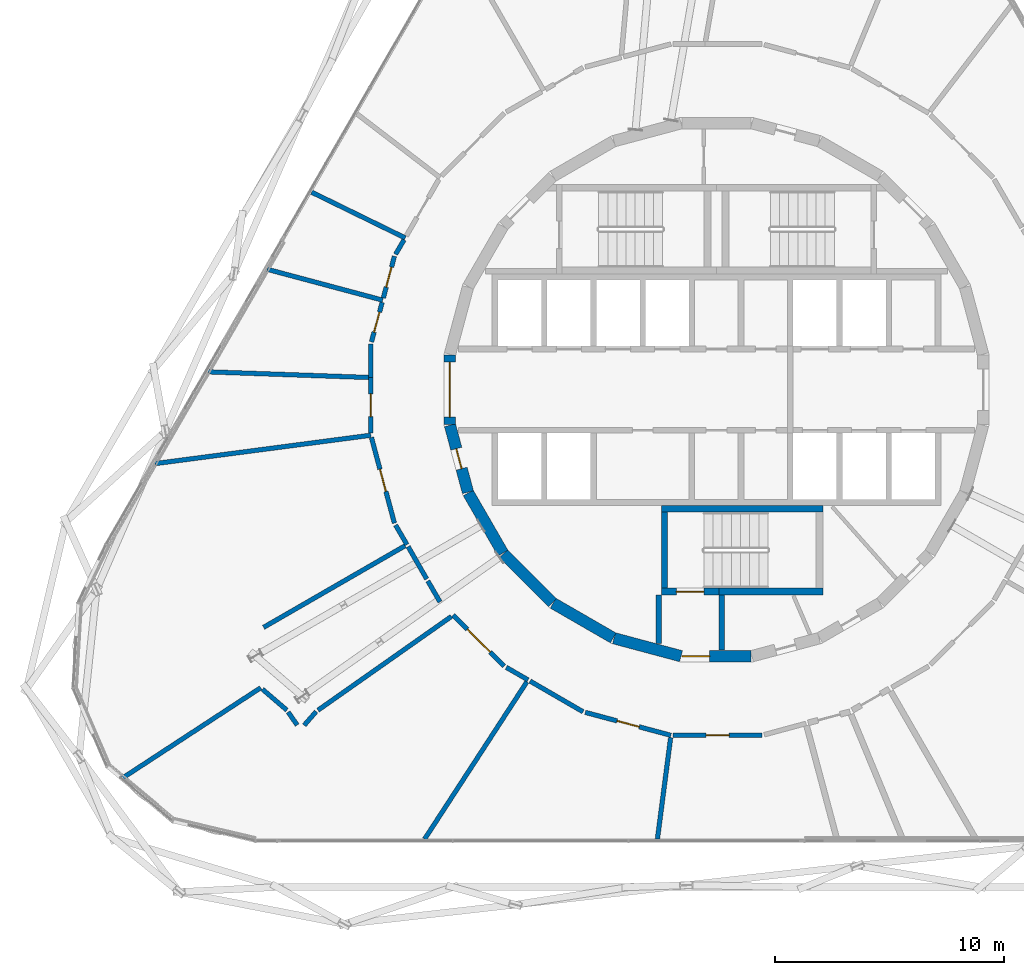
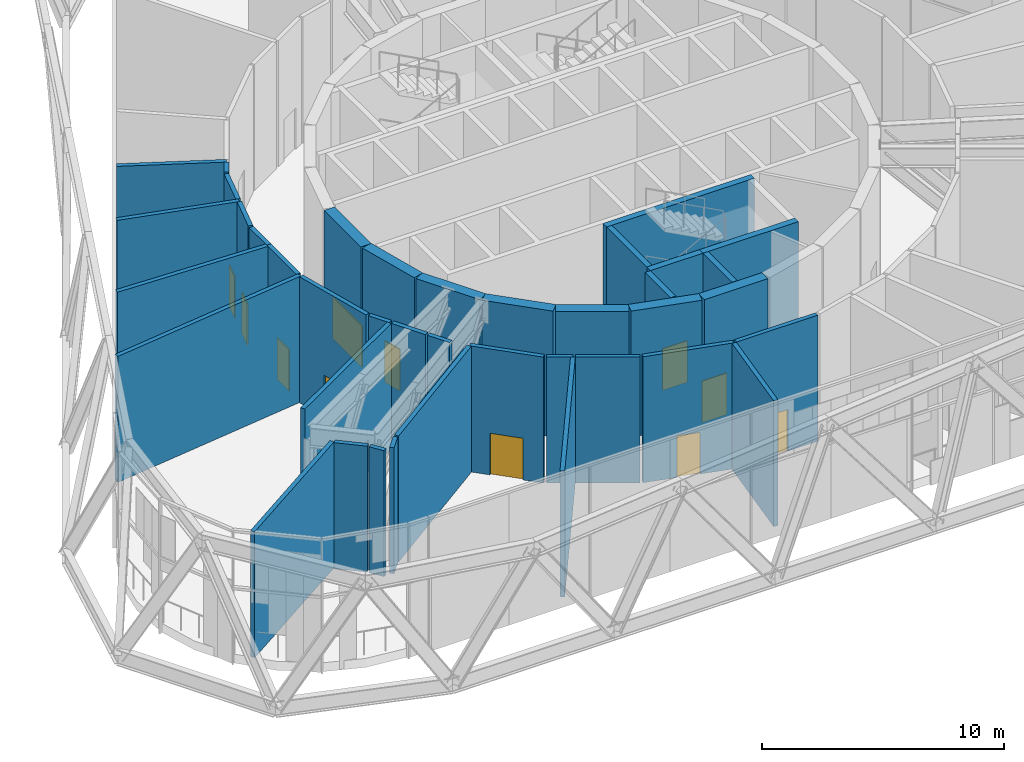
# One storey, part 23 of 29: 39 walls, 11 doors, 11 openings.
"""IFC4 building model written with IfcOpenShell, lengths in metres."""

from ifc_helpers import new_model, si_unit, direction, frame, frame_2d, origin, place, context, subcontext, project, spatial, rectangle, extrude, material, layer, layer_set, type_object, element, fill, save


model = new_model("IFC4")

# Units and contexts
model_context = context("Model", 3, precision=1e-05, world=origin(), true_north=direction((0.0, 1.0)))
body_context = subcontext(model_context, "Body", "Model", "MODEL_VIEW")
ifc_project = project(units=[si_unit("LENGTHUNIT", "METRE"), si_unit("AREAUNIT", "SQUARE_METRE"), si_unit("VOLUMEUNIT", "CUBIC_METRE"), si_unit("PLANEANGLEUNIT", "RADIAN"), si_unit("MASSUNIT", "GRAM", prefix="KILO")], contexts=[model_context])

# Site, building, storey
site_placement = place(None, origin())
site = spatial("IfcSite", under=ifc_project, at=site_placement, CompositionType="ELEMENT")
building_placement = place(site_placement, origin())
building = spatial("IfcBuilding", under=site, at=building_placement, Name="Spindle Arch Residences", CompositionType="ELEMENT")
storey_placement = place(building_placement, frame((0.0, 0.0, 69.89990234375)))
storey = spatial("IfcBuildingStorey", under=building, at=storey_placement, Name="L16", CompositionType="ELEMENT", Elevation=69.89990234375)

# Wall, opening, door
ifc_material_1 = material(Name="Concrete C50/60", Category="concrete")
ifc_layer_1 = layer(ifc_material_1, 0.5)
ifc_layer_set_1 = layer_set([ifc_layer_1], Name="Core outline wall 500")
wall_type_1 = type_object("IfcWallType", Name="Core outline wall 500", PredefinedType="SHEAR", material=ifc_layer_set_1)
wall_1_placement = place(storey_placement, frame((-11.647216796875, 1.516357421875, 0.0), z_axis=(0.0, 0.0, 1.0), x_axis=(0.0, -1.0, 0.0)))
wall_1 = element("IfcWall", 1, at=wall_1_placement, inside=storey, type_object=wall_type_1, Name="Core outline wall 18", PredefinedType="SHEAR", context=body_context, shape_type="SweptSolid", body=[
    extrude(rectangle(XDim=3.03271484375, YDim=0.5, at=frame_2d((1.516357421875, 0.0))), origin(), (0.0, 0.0, 1.0), 6.35009765625),
])
opening_1_placement = place(wall_1_placement, frame((0.31640625, 0.0, 0.0)))
opening_1 = element("IfcOpeningElement", 2, at=opening_1_placement, cuts=wall_1, Name="Opening L16-LE01", PredefinedType="OPENING", context=body_context, shape_type="SweptSolid", body=[
    extrude(rectangle(XDim=2.39990234375, YDim=2.10009765625, at=frame_2d((1.199951171875, 1.050048828125))), frame((0.0, 0.260009765625, 0.0), z_axis=(0.0, -1.0, 0.0), x_axis=(1.0, 0.0, 0.0)), (0.0, 0.0, 1.0), 0.52001953125),
])
ifc_material_2 = material(Name="Steel, fire-resisting door", Category="steel")
door_type_1 = type_object("IfcDoorType", Name="Lift lobby entrance door 2400x2100", OperationType="DOUBLE_DOOR_SINGLE_SWING", PredefinedType="DOOR", material=ifc_material_2)
door_1_placement = place(opening_1_placement, origin())
door_1 = element("IfcDoor", 3, at=door_1_placement, inside=storey, type_object=door_type_1, Name="Lift lobby entrance door L16-LE01", OperationType="DOUBLE_DOOR_SINGLE_SWING", OverallHeight=2.10009765625, OverallWidth=2.39990234375, PredefinedType="DOOR", context=body_context, shape_type="SweptSolid", body=[
    extrude(rectangle(XDim=2.39990234375, YDim=2.10009765625, at=frame_2d((1.199951171875, 1.050048828125))), frame((0.0, 0.02490234375, 0.0), z_axis=(0.0, -1.0, 0.0), x_axis=(1.0, 0.0, 0.0)), (0.0, 0.0, 1.0), 0.050048828125),
])
fill(opening_1, door_1)

wall_2_placement = place(storey_placement, frame((-11.642822265625, -1.5498046875, 0.0), z_axis=(0.0, 0.0, 1.0), x_axis=(0.258734743916, -0.965948410781, 0.0)))
wall_2 = element("IfcWall", 4, at=wall_2_placement, inside=storey, type_object=wall_type_1, Name="Core outline wall 19", PredefinedType="SHEAR", context=body_context, shape_type="SweptSolid", body=[
    extrude(rectangle(XDim=3.03271484375, YDim=0.5, at=frame_2d((1.516357421875, 0.0))), origin(), (0.0, 0.0, 1.0), 6.35009765625),
])
opening_2_placement = place(wall_2_placement, frame((1.06640625, 0.0, 0.0)))
opening_2 = element("IfcOpeningElement", 5, at=opening_2_placement, cuts=wall_2, Name="Opening L16-WD11", PredefinedType="OPENING", context=body_context, shape_type="SweptSolid", body=[
    extrude(rectangle(XDim=0.89990234375, YDim=2.10009765625, at=frame_2d((0.449951171875, 1.050048828125))), frame((0.0, 0.260009765625, 0.0), z_axis=(0.0, -1.0, 0.0), x_axis=(1.0, 0.0, 0.0)), (0.0, 0.0, 1.0), 0.52001953125),
])
ifc_material_3 = material(Name="Steel, fire-resisting door", Category="steel")
door_type_2 = type_object("IfcDoorType", Name="Service room door 900x2100", OperationType="SINGLE_SWING_LEFT", PredefinedType="DOOR", material=ifc_material_3)
door_2_placement = place(opening_2_placement, origin())
door_2 = element("IfcDoor", 6, at=door_2_placement, inside=storey, type_object=door_type_2, Name="Service room door L16-WD11", OperationType="SINGLE_SWING_RIGHT", OverallHeight=2.10009765625, OverallWidth=0.89990234375, PredefinedType="DOOR", context=body_context, shape_type="SweptSolid", body=[
    extrude(rectangle(XDim=0.89990234375, YDim=2.10009765625, at=frame_2d((0.449951171875, 1.050048828125))), frame((0.0, 0.02490234375, 0.0), z_axis=(0.0, -1.0, 0.0), x_axis=(1.0, 0.0, 0.0)), (0.0, 0.0, 1.0), 0.050048828125),
])
fill(opening_2, door_2)

# Walls
wall_3_placement = place(storey_placement, frame((-10.84521484375, -4.510498046875, 0.0), z_axis=(0.0, 0.0, 1.0), x_axis=(0.500087131594, -0.865975092491, 0.0)))
element("IfcWall", 7, at=wall_3_placement, inside=storey, type_object=wall_type_1, Name="Core outline wall 20", PredefinedType="SHEAR", context=body_context, shape_type="SweptSolid", body=[
    extrude(rectangle(XDim=3.03271484375, YDim=0.5, at=frame_2d((1.516357421875, 0.0))), origin(), (0.0, 0.0, 1.0), 6.35009765625),
])
wall_4_placement = place(storey_placement, frame((-9.30810546875, -7.163818359375, 0.0), z_axis=(0.0, 0.0, 1.0), x_axis=(0.707106781187, -0.707106781187, 0.0)))
element("IfcWall", 8, at=wall_4_placement, inside=storey, type_object=wall_type_1, Name="Core outline wall 21", PredefinedType="SHEAR", context=body_context, shape_type="SweptSolid", body=[
    extrude(rectangle(XDim=3.032470703125, YDim=0.5, at=frame_2d((1.51611328125, 0.0))), origin(), (0.0, 0.0, 1.0), 6.35009765625),
])
for number, where, z_axis, x_axis, name in (
    (9, (-7.13671875, -9.32861328125, 0.0), (0.0, 0.0, 1.0), (0.865975092491, -0.500087131594, 0.0), "Core outline wall 22"),
    (10, (-4.479248046875, -10.858154296875, 0.0), (0.0, 0.0, 1.0), (0.965948410781, -0.258734743916, 0.0), "Core outline wall 23"),
):
    element("IfcWall", number, at=place(storey_placement, frame(where, z_axis=z_axis, x_axis=x_axis)), inside=storey, type_object=wall_type_1, Name=name, PredefinedType="SHEAR", context=body_context, shape_type="SweptSolid", body=[
        extrude(rectangle(XDim=3.03271484375, YDim=0.5, at=frame_2d((1.516357421875, 0.0))), origin(), (0.0, 0.0, 1.0), 6.35009765625),
    ])

# Wall, opening, door
wall_5_placement = place(storey_placement, frame((-1.516357421875, -11.647216796875, 0.0), z_axis=(0.0, 0.0, 1.0), x_axis=(1.0, 0.0, 0.0)))
wall_5 = element("IfcWall", 11, at=wall_5_placement, inside=storey, type_object=wall_type_1, Name="Core outline wall 24", PredefinedType="SHEAR", context=body_context, shape_type="SweptSolid", body=[
    extrude(rectangle(XDim=3.03271484375, YDim=0.5, at=frame_2d((1.516357421875, 0.0))), origin(), (0.0, 0.0, 1.0), 6.35009765625),
])
opening_3_placement = place(wall_5_placement, frame((0.016357421875, 0.0, 0.0)))
opening_3 = element("IfcOpeningElement", 12, at=opening_3_placement, cuts=wall_5, Name="Opening L16-AD03", PredefinedType="OPENING", context=body_context, shape_type="SweptSolid", body=[
    extrude(rectangle(XDim=1.199951171875, YDim=2.10009765625, at=frame_2d((0.60009765625, 1.050048828125))), frame((0.0, 0.260009765625, 0.0), z_axis=(0.0, -1.0, 0.0), x_axis=(1.0, 0.0, 0.0)), (0.0, 0.0, 1.0), 0.52001953125),
])
ifc_material_4 = material(Name="Steel, fire-resisting door", Category="steel")
door_type_3 = type_object("IfcDoorType", Name="Stair airlock door 1200x2100", OperationType="SINGLE_SWING_LEFT", PredefinedType="DOOR", material=ifc_material_4)
door_3_placement = place(opening_3_placement, origin())
door_3 = element("IfcDoor", 13, at=door_3_placement, inside=storey, type_object=door_type_3, Name="Stair airlock door L16-AD03", OperationType="SINGLE_SWING_RIGHT", OverallHeight=2.10009765625, OverallWidth=1.199951171875, PredefinedType="DOOR", context=body_context, shape_type="SweptSolid", body=[
    extrude(rectangle(XDim=1.199951171875, YDim=2.10009765625, at=frame_2d((0.60009765625, 1.050048828125))), frame((0.0, 0.02490234375, 0.0), z_axis=(0.0, -1.0, 0.0), x_axis=(1.0, 0.0, 0.0)), (0.0, 0.0, 1.0), 0.050048828125),
])
fill(opening_3, door_3)

# Walls
ifc_material_5 = material(Name="Gypsum board partition on steel studs", Category="steel")
ifc_layer_2 = layer(ifc_material_5, 0.199951171875)
ifc_layer_set_2 = layer_set([ifc_layer_2], Name="Partition EI 60 200 amenity")
wall_type_2 = type_object("IfcWallType", Name="Partition EI 60 200 amenity", PredefinedType="PARTITIONING", material=ifc_layer_set_2)
wall_6_placement = place(storey_placement, frame((-19.9111328125, -13.020751953125, 0.0), z_axis=(0.0, 0.0, 1.0), x_axis=(-0.837091398282, -0.547063059366, 0.0)))
element("IfcWall", 14, at=wall_6_placement, inside=storey, type_object=wall_type_2, Name="L16-W001", PredefinedType="PARTITIONING", context=body_context, shape_type="SweptSolid", body=[
    extrude(rectangle(XDim=7.27392578125, YDim=0.199951171875, at=frame_2d((3.636962890625, 0.0))), origin(), (0.0, 0.0, 1.0), 6.35009765625),
])
wall_7_placement = place(storey_placement, frame((-18.77001953125, -14.0, 0.0), z_axis=(0.0, 0.0, 1.0), x_axis=(-0.758888143088, 0.651220996498, 0.0)))
element("IfcWall", 15, at=wall_7_placement, inside=storey, type_object=wall_type_2, Name="L16-W002", PredefinedType="PARTITIONING", context=body_context, shape_type="SweptSolid", body=[
    extrude(rectangle(XDim=1.403564453125, YDim=0.199951171875, at=frame_2d((0.70166015625, 0.0))), origin(), (0.0, 0.0, 1.0), 6.35009765625),
])
wall_8_placement = place(storey_placement, frame((-18.713134765625, -14.082275390625, 0.0), z_axis=(0.0, 0.0, 1.0), x_axis=(0.569301912227, -0.822128537843, 0.0)))
element("IfcWall", 16, at=wall_8_placement, inside=storey, type_object=wall_type_2, Name="L16-W003", PredefinedType="PARTITIONING", context=body_context, shape_type="SweptSolid", body=[
    extrude(rectangle(XDim=0.6904296875, YDim=0.199951171875, at=frame_2d((0.34521484375, 0.0))), origin(), (0.0, 0.0, 1.0), 6.35009765625),
])
wall_9_placement = place(storey_placement, frame((-18.010009765625, -14.659912109375, 0.0), z_axis=(0.0, 0.0, 1.0), x_axis=(0.655035903523, 0.755597753501, 0.0)))
element("IfcWall", 17, at=wall_9_placement, inside=storey, type_object=wall_type_2, Name="L16-W004", PredefinedType="PARTITIONING", context=body_context, shape_type="SweptSolid", body=[
    extrude(rectangle(XDim=0.7939453125, YDim=0.199951171875, at=frame_2d((0.39697265625, 0.0))), origin(), (0.0, 0.0, 1.0), 6.35009765625),
])
wall_10_placement = place(storey_placement, frame((-17.408203125, -14.00244140625, 0.0), z_axis=(0.0, 0.0, 1.0), x_axis=(0.818143313396, 0.575014363947, 0.0)))
element("IfcWall", 18, at=wall_10_placement, inside=storey, type_object=wall_type_2, Name="L16-W005", PredefinedType="PARTITIONING", context=body_context, shape_type="SweptSolid", body=[
    extrude(rectangle(XDim=7.12158203125, YDim=0.199951171875, at=frame_2d((3.560791015625, 0.0))), origin(), (0.0, 0.0, 1.0), 6.35009765625),
])
wall_11_placement = place(storey_placement, frame((-15.10009765625, -1.989990234375, 0.0), z_axis=(0.0, 0.0, 1.0), x_axis=(-0.99146503856, -0.130372839634, 0.0)))
element("IfcWall", 19, at=wall_11_placement, inside=storey, type_object=wall_type_2, Name="L16-W006", PredefinedType="PARTITIONING", context=body_context, shape_type="SweptSolid", body=[
    extrude(rectangle(XDim=9.51123046875, YDim=0.199951171875, at=frame_2d((4.755615234375, 0.0))), origin(), (0.0, 0.0, 1.0), 6.35009765625),
])

# Wall, opening, door
wall_12_placement = place(storey_placement, frame((-15.073974609375, -2.086669921875, 0.0), z_axis=(0.0, 0.0, 1.0), x_axis=(0.259026804199, -0.965870133458, 0.0)))
wall_12 = element("IfcWall", 20, at=wall_12_placement, inside=storey, type_object=wall_type_2, Name="L16-W007", PredefinedType="PARTITIONING", context=body_context, shape_type="SweptSolid", body=[
    extrude(rectangle(XDim=3.875732421875, YDim=0.199951171875, at=frame_2d((1.93798828125, 0.0))), origin(), (0.0, 0.0, 1.0), 6.35009765625),
])
opening_4_placement = place(wall_12_placement, frame((1.43798828125, 0.0, 0.0)))
opening_4 = element("IfcOpeningElement", 21, at=opening_4_placement, cuts=wall_12, Name="Opening L16-D07", PredefinedType="OPENING", context=body_context, shape_type="SweptSolid", body=[
    extrude(rectangle(XDim=1.0, YDim=2.10009765625, at=frame_2d((0.5, 1.050048828125))), frame((0.0, 0.10986328125, 0.0), z_axis=(0.0, -1.0, 0.0), x_axis=(1.0, 0.0, 0.0)), (0.0, 0.0, 1.0), 0.219970703125),
])
ifc_material_6 = material(Name="Timber door leaf", Category="wood")
door_type_4 = type_object("IfcDoorType", Name="Door 1000x2100 EI 30", OperationType="SINGLE_SWING_LEFT", PredefinedType="DOOR", material=ifc_material_6)
door_4_placement = place(opening_4_placement, origin())
door_4 = element("IfcDoor", 22, at=door_4_placement, inside=storey, type_object=door_type_4, Name="L16-D07", OperationType="SINGLE_SWING_LEFT", OverallHeight=2.10009765625, OverallWidth=1.0, PredefinedType="DOOR", context=body_context, shape_type="SweptSolid", body=[
    extrude(rectangle(XDim=1.0, YDim=2.10009765625, at=frame_2d((0.5, 1.050048828125))), frame((0.0, 0.02490234375, 0.0), z_axis=(0.0, -1.0, 0.0), x_axis=(1.0, 0.0, 0.0)), (0.0, 0.0, 1.0), 0.050048828125),
])
fill(opening_4, door_4)

# Wall
wall_13_placement = place(storey_placement, frame((-15.199951171875, 0.533447265625, 0.0), z_axis=(0.0, 0.0, 1.0), x_axis=(-0.999383668214, 0.035103898758, 0.0)))
element("IfcWall", 23, at=wall_13_placement, inside=storey, type_object=wall_type_2, Name="L16-W008", PredefinedType="PARTITIONING", context=body_context, shape_type="SweptSolid", body=[
    extrude(rectangle(XDim=7.0244140625, YDim=0.199951171875, at=frame_2d((3.51220703125, 0.0))), origin(), (0.0, 0.0, 1.0), 6.35009765625),
])

# Wall, opening, door
wall_14_placement = place(storey_placement, frame((-15.10009765625, 0.530029296875, 0.0), z_axis=(0.0, 0.0, 1.0), x_axis=(0.0, -1.0, 0.0)))
wall_14 = element("IfcWall", 24, at=wall_14_placement, inside=storey, type_object=wall_type_2, Name="L16-W009", PredefinedType="PARTITIONING", context=body_context, shape_type="SweptSolid", body=[
    extrude(rectangle(XDim=2.419921875, YDim=0.199951171875, at=frame_2d((1.2099609375, 0.0))), origin(), (0.0, 0.0, 1.0), 6.35009765625),
])
opening_5_placement = place(wall_14_placement, frame((0.7099609375, 0.0, 0.0)))
opening_5 = element("IfcOpeningElement", 25, at=opening_5_placement, cuts=wall_14, Name="Opening L16-D10", PredefinedType="OPENING", context=body_context, shape_type="SweptSolid", body=[
    extrude(rectangle(XDim=1.0, YDim=2.10009765625, at=frame_2d((0.5, 1.050048828125))), frame((0.0, 0.10986328125, 0.0), z_axis=(0.0, -1.0, 0.0), x_axis=(1.0, 0.0, 0.0)), (0.0, 0.0, 1.0), 0.219970703125),
])
door_5_placement = place(opening_5_placement, origin())
door_5 = element("IfcDoor", 26, at=door_5_placement, inside=storey, type_object=door_type_4, Name="L16-D10", OperationType="SINGLE_SWING_LEFT", OverallHeight=2.10009765625, OverallWidth=1.0, PredefinedType="DOOR", context=body_context, shape_type="SweptSolid", body=[
    extrude(rectangle(XDim=1.0, YDim=2.10009765625, at=frame_2d((0.5, 1.050048828125))), frame((0.0, 0.02490234375, 0.0), z_axis=(0.0, -1.0, 0.0), x_axis=(1.0, 0.0, 0.0)), (0.0, 0.0, 1.0), 0.050048828125),
])
fill(opening_5, door_5)

# Walls
wall_15_placement = place(storey_placement, frame((-15.10009765625, 1.989990234375, 0.0), z_axis=(0.0, 0.0, 1.0), x_axis=(0.0, -1.0, 0.0)))
element("IfcWall", 27, at=wall_15_placement, inside=storey, type_object=wall_type_2, Name="L16-W010", PredefinedType="PARTITIONING", context=body_context, shape_type="SweptSolid", body=[
    extrude(rectangle(XDim=1.4599609375, YDim=0.199951171875, at=frame_2d((0.72998046875, 0.0))), origin(), (0.0, 0.0, 1.0), 6.35009765625),
])
wall_16_placement = place(storey_placement, frame((-14.580078125, 3.909912109375, 0.0), z_axis=(0.0, 0.0, 1.0), x_axis=(-0.96606884549, 0.25828469907, 0.0)))
element("IfcWall", 28, at=wall_16_placement, inside=storey, type_object=wall_type_2, Name="L16-W011", PredefinedType="PARTITIONING", context=body_context, shape_type="SweptSolid", body=[
    extrude(rectangle(XDim=5.22705078125, YDim=0.199951171875, at=frame_2d((2.613525390625, 0.0))), origin(), (0.0, 0.0, 1.0), 6.35009765625),
])

# Wall, opening, door
wall_17_placement = place(storey_placement, frame((-14.606201171875, 3.8134765625, 0.0), z_axis=(0.0, 0.0, 1.0), x_axis=(-0.261431365937, -0.965222068181, 0.0)))
wall_17 = element("IfcWall", 29, at=wall_17_placement, inside=storey, type_object=wall_type_2, Name="L16-W012", PredefinedType="PARTITIONING", context=body_context, shape_type="SweptSolid", body=[
    extrude(rectangle(XDim=1.789306640625, YDim=0.199951171875, at=frame_2d((0.89453125, 0.0))), origin(), (0.0, 0.0, 1.0), 6.35009765625),
])
opening_6_placement = place(wall_17_placement, frame((0.444580078125, 0.0, 0.0)))
opening_6 = element("IfcOpeningElement", 30, at=opening_6_placement, cuts=wall_17, Name="Opening L16-D11", PredefinedType="OPENING", context=body_context, shape_type="SweptSolid", body=[
    extrude(rectangle(XDim=0.89990234375, YDim=2.10009765625, at=frame_2d((0.449951171875, 1.050048828125))), frame((0.0, 0.10986328125, 0.0), z_axis=(0.0, -1.0, 0.0), x_axis=(1.0, 0.0, 0.0)), (0.0, 0.0, 1.0), 0.219970703125),
])
ifc_material_7 = material(Name="Timber door leaf", Category="wood")
door_type_5 = type_object("IfcDoorType", Name="Door 900x2100 EI 30", OperationType="SINGLE_SWING_LEFT", PredefinedType="DOOR", material=ifc_material_7)
door_6_placement = place(opening_6_placement, origin())
door_6 = element("IfcDoor", 31, at=door_6_placement, inside=storey, type_object=door_type_5, Name="L16-D11", OperationType="SINGLE_SWING_LEFT", OverallHeight=2.10009765625, OverallWidth=0.89990234375, PredefinedType="DOOR", context=body_context, shape_type="SweptSolid", body=[
    extrude(rectangle(XDim=0.89990234375, YDim=2.10009765625, at=frame_2d((0.449951171875, 1.050048828125))), frame((0.0, 0.02490234375, 0.0), z_axis=(0.0, -1.0, 0.0), x_axis=(1.0, 0.0, 0.0)), (0.0, 0.0, 1.0), 0.050048828125),
])
fill(opening_6, door_6)

# Wall
wall_18_placement = place(storey_placement, frame((-14.01953125, -5.916259765625, 0.0), z_axis=(0.0, 0.0, 1.0), x_axis=(0.504990876894, -0.863124680596, 0.0)))
element("IfcWall", 32, at=wall_18_placement, inside=storey, type_object=wall_type_2, Name="L16-W013", PredefinedType="PARTITIONING", context=body_context, shape_type="SweptSolid", body=[
    extrude(rectangle(XDim=0.9892578125, YDim=0.199951171875, at=frame_2d((0.49462890625, 0.0))), origin(), (0.0, 0.0, 1.0), 6.35009765625),
])

# Wall, opening, door
wall_19_placement = place(storey_placement, frame((-14.070068359375, 5.830078125, 0.0), z_axis=(0.0, 0.0, 1.0), x_axis=(-0.256728277667, -0.966483621923, 0.0)))
wall_19 = element("IfcWall", 33, at=wall_19_placement, inside=storey, type_object=wall_type_2, Name="L16-W014", PredefinedType="PARTITIONING", context=body_context, shape_type="SweptSolid", body=[
    extrude(rectangle(XDim=1.88671875, YDim=0.199951171875, at=frame_2d((0.943359375, 0.0))), origin(), (0.0, 0.0, 1.0), 6.35009765625),
])
opening_7_placement = place(wall_19_placement, frame((0.493408203125, 0.0, 0.0)))
opening_7 = element("IfcOpeningElement", 34, at=opening_7_placement, cuts=wall_19, Name="Opening L16-D13", PredefinedType="OPENING", context=body_context, shape_type="SweptSolid", body=[
    extrude(rectangle(XDim=0.89990234375, YDim=2.10009765625, at=frame_2d((0.449951171875, 1.050048828125))), frame((0.0, 0.10986328125, 0.0), z_axis=(0.0, -1.0, 0.0), x_axis=(1.0, 0.0, 0.0)), (0.0, 0.0, 1.0), 0.219970703125),
])
door_7_placement = place(opening_7_placement, origin())
door_7 = element("IfcDoor", 35, at=door_7_placement, inside=storey, type_object=door_type_5, Name="L16-D13", OperationType="SINGLE_SWING_LEFT", OverallHeight=2.10009765625, OverallWidth=0.89990234375, PredefinedType="DOOR", context=body_context, shape_type="SweptSolid", body=[
    extrude(rectangle(XDim=0.89990234375, YDim=2.10009765625, at=frame_2d((0.449951171875, 1.050048828125))), frame((0.0, 0.02490234375, 0.0), z_axis=(0.0, -1.0, 0.0), x_axis=(1.0, 0.0, 0.0)), (0.0, 0.0, 1.0), 0.050048828125),
])
fill(opening_7, door_7)

# Walls
wall_20_placement = place(storey_placement, frame((-13.60009765625, 6.6298828125, 0.0), z_axis=(0.0, 0.0, 1.0), x_axis=(-0.898339215614, 0.43930246265, 0.0)))
element("IfcWall", 36, at=wall_20_placement, inside=storey, type_object=wall_type_2, Name="L16-W015", PredefinedType="PARTITIONING", context=body_context, shape_type="SweptSolid", body=[
    extrude(rectangle(XDim=4.552734375, YDim=0.199951171875, at=frame_2d((2.2763671875, 0.0))), origin(), (0.0, 0.0, 1.0), 6.35009765625),
])
wall_21_placement = place(storey_placement, frame((-13.650634765625, 6.543701171875, 0.0), z_axis=(0.0, 0.0, 1.0), x_axis=(-0.506580223451, -0.862192830641, 0.0)))
element("IfcWall", 37, at=wall_21_placement, inside=storey, type_object=wall_type_2, Name="L16-W016", PredefinedType="PARTITIONING", context=body_context, shape_type="SweptSolid", body=[
    extrude(rectangle(XDim=0.727783203125, YDim=0.199951171875, at=frame_2d((0.36376953125, 0.0))), origin(), (0.0, 0.0, 1.0), 6.35009765625),
])
wall_22_placement = place(storey_placement, frame((-13.606689453125, -6.820068359375, 0.0), z_axis=(0.0, 0.0, 1.0), x_axis=(-0.866289323715, -0.499542598401, 0.0)))
element("IfcWall", 38, at=wall_22_placement, inside=storey, type_object=wall_type_2, Name="L16-W017", PredefinedType="PARTITIONING", context=body_context, shape_type="SweptSolid", body=[
    extrude(rectangle(XDim=7.129638671875, YDim=0.199951171875, at=frame_2d((3.56494140625, 0.0))), origin(), (0.0, 0.0, 1.0), 6.35009765625),
])
wall_23_placement = place(storey_placement, frame((-13.47021484375, -6.856689453125, 0.0), z_axis=(0.0, 0.0, 1.0), x_axis=(0.49738110484, -0.867532153034, 0.0)))
element("IfcWall", 39, at=wall_23_placement, inside=storey, type_object=wall_type_2, Name="L16-W018", PredefinedType="PARTITIONING", context=body_context, shape_type="SweptSolid", body=[
    extrude(rectangle(XDim=1.629150390625, YDim=0.199951171875, at=frame_2d((0.814453125, 0.0))), origin(), (0.0, 0.0, 1.0), 6.35009765625),
])
wall_24_placement = place(storey_placement, frame((-12.60986328125, -8.3564453125, 0.0), z_axis=(0.0, 0.0, 1.0), x_axis=(0.501655813699, -0.865067306388, 0.0)))
element("IfcWall", 40, at=wall_24_placement, inside=storey, type_object=wall_type_2, Name="L16-W019", PredefinedType="PARTITIONING", context=body_context, shape_type="SweptSolid", body=[
    extrude(rectangle(XDim=1.05615234375, YDim=0.199951171875, at=frame_2d((0.528076171875, 0.0))), origin(), (0.0, 0.0, 1.0), 6.35009765625),
])

# Wall, opening, door
wall_25_placement = place(storey_placement, frame((-11.5, -9.85009765625, 0.0), z_axis=(0.0, 0.0, 1.0), x_axis=(0.707106781187, -0.707106781187, 0.0)))
wall_25 = element("IfcWall", 41, at=wall_25_placement, inside=storey, type_object=wall_type_2, Name="L16-W022", PredefinedType="PARTITIONING", context=body_context, shape_type="SweptSolid", body=[
    extrude(rectangle(XDim=3.153564453125, YDim=0.199951171875, at=frame_2d((1.57666015625, 0.0))), origin(), (0.0, 0.0, 1.0), 6.35009765625),
])
opening_8_placement = place(wall_25_placement, frame((0.876708984375, 0.0, 0.0)))
opening_8 = element("IfcOpeningElement", 42, at=opening_8_placement, cuts=wall_25, Name="Opening L16-D05", PredefinedType="OPENING", context=body_context, shape_type="SweptSolid", body=[
    extrude(rectangle(XDim=1.39990234375, YDim=2.10009765625, at=frame_2d((0.699951171875, 1.050048828125))), frame((0.0, 0.10986328125, 0.0), z_axis=(0.0, -1.0, 0.0), x_axis=(1.0, 0.0, 0.0)), (0.0, 0.0, 1.0), 0.219970703125),
])
ifc_material_8 = material(Name="Timber door leaves, acoustic seals", Category="wood")
door_type_6 = type_object("IfcDoorType", Name="Library double door EI 30 1400x2100", OperationType="DOUBLE_DOOR_SINGLE_SWING", PredefinedType="DOOR", material=ifc_material_8)
door_8_placement = place(opening_8_placement, origin())
door_8 = element("IfcDoor", 43, at=door_8_placement, inside=storey, type_object=door_type_6, Name="L16-D05", OperationType="DOUBLE_DOOR_SINGLE_SWING", OverallHeight=2.10009765625, OverallWidth=1.39990234375, PredefinedType="DOOR", context=body_context, shape_type="SweptSolid", body=[
    extrude(rectangle(XDim=1.39990234375, YDim=2.10009765625, at=frame_2d((0.699951171875, 1.050048828125))), frame((0.0, 0.02490234375, 0.0), z_axis=(0.0, -1.0, 0.0), x_axis=(1.0, 0.0, 0.0)), (0.0, 0.0, 1.0), 0.050048828125),
])
fill(opening_8, door_8)

# Walls
wall_26_placement = place(storey_placement, frame((-9.183349609375, -12.1298828125, 0.0), z_axis=(0.0, 0.0, 1.0), x_axis=(0.866174507562, -0.499741655707, 0.0)))
element("IfcWall", 44, at=wall_26_placement, inside=storey, type_object=wall_type_2, Name="L16-W023", PredefinedType="PARTITIONING", context=body_context, shape_type="SweptSolid", body=[
    extrude(rectangle(XDim=1.1005859375, YDim=0.199951171875, at=frame_2d((0.55029296875, 0.0))), origin(), (0.0, 0.0, 1.0), 6.35009765625),
])
wall_27_placement = place(storey_placement, frame((-8.284423828125, -12.763916015625, 0.0), z_axis=(0.0, 0.0, 1.0), x_axis=(-0.54521987952, -0.838293077018, 0.0)))
element("IfcWall", 45, at=wall_27_placement, inside=storey, type_object=wall_type_2, Name="L16-W025", PredefinedType="PARTITIONING", context=body_context, shape_type="SweptSolid", body=[
    extrude(rectangle(XDim=8.1904296875, YDim=0.199951171875, at=frame_2d((4.09521484375, 0.0))), origin(), (0.0, 0.0, 1.0), 6.35009765625),
])
wall_28_placement = place(storey_placement, frame((-8.1435546875, -12.730224609375, 0.0), z_axis=(0.0, 0.0, 1.0), x_axis=(0.865351249134, -0.5011658564, 0.0)))
element("IfcWall", 46, at=wall_28_placement, inside=storey, type_object=wall_type_2, Name="L16-W026", PredefinedType="PARTITIONING", context=body_context, shape_type="SweptSolid", body=[
    extrude(rectangle(XDim=2.67333984375, YDim=0.199951171875, at=frame_2d((1.336669921875, 0.0))), origin(), (0.0, 0.0, 1.0), 6.35009765625),
])

# Wall, opening, door
wall_29_placement = place(storey_placement, frame((-5.7333984375, -14.095947265625, 0.0), z_axis=(0.0, 0.0, 1.0), x_axis=(0.96585437197, -0.259085569159, 0.0)))
wall_29 = element("IfcWall", 47, at=wall_29_placement, inside=storey, type_object=wall_type_2, Name="L16-W029", PredefinedType="PARTITIONING", context=body_context, shape_type="SweptSolid", body=[
    extrude(rectangle(XDim=3.875732421875, YDim=0.199951171875, at=frame_2d((1.93798828125, 0.0))), origin(), (0.0, 0.0, 1.0), 6.35009765625),
])
opening_9_placement = place(wall_29_placement, frame((1.43798828125, 0.0, 0.0)))
opening_9 = element("IfcOpeningElement", 48, at=opening_9_placement, cuts=wall_29, Name="Opening L16-D03", PredefinedType="OPENING", context=body_context, shape_type="SweptSolid", body=[
    extrude(rectangle(XDim=1.0, YDim=2.10009765625, at=frame_2d((0.5, 1.050048828125))), frame((0.0, 0.10986328125, 0.0), z_axis=(0.0, -1.0, 0.0), x_axis=(1.0, 0.0, 0.0)), (0.0, 0.0, 1.0), 0.219970703125),
])
door_9_placement = place(opening_9_placement, origin())
door_9 = element("IfcDoor", 49, at=door_9_placement, inside=storey, type_object=door_type_4, Name="L16-D03", OperationType="SINGLE_SWING_LEFT", OverallHeight=2.10009765625, OverallWidth=1.0, PredefinedType="DOOR", context=body_context, shape_type="SweptSolid", body=[
    extrude(rectangle(XDim=1.0, YDim=2.10009765625, at=frame_2d((0.5, 1.050048828125))), frame((0.0, 0.02490234375, 0.0), z_axis=(0.0, -1.0, 0.0), x_axis=(1.0, 0.0, 0.0)), (0.0, 0.0, 1.0), 0.050048828125),
])
fill(opening_9, door_9)

# Wall
wall_30_placement = place(storey_placement, frame((-2.0029296875, -15.19921875, 0.0), z_axis=(0.0, 0.0, 1.0), x_axis=(-0.129170993983, -0.991622334517, 0.0)))
element("IfcWall", 50, at=wall_30_placement, inside=storey, type_object=wall_type_2, Name="L16-W035", PredefinedType="PARTITIONING", context=body_context, shape_type="SweptSolid", body=[
    extrude(rectangle(XDim=4.468017578125, YDim=0.199951171875, at=frame_2d((2.23388671875, 0.0))), origin(), (0.0, 0.0, 1.0), 6.35009765625),
])

# Wall, opening, door
wall_31_placement = place(storey_placement, frame((-1.889892578125, -15.10009765625, 0.0), z_axis=(0.0, 0.0, 1.0), x_axis=(1.0, 0.0, 0.0)))
wall_31 = element("IfcWall", 51, at=wall_31_placement, inside=storey, type_object=wall_type_2, Name="L16-W036", PredefinedType="PARTITIONING", context=body_context, shape_type="SweptSolid", body=[
    extrude(rectangle(XDim=3.8798828125, YDim=0.199951171875, at=frame_2d((1.93994140625, 0.0))), origin(), (0.0, 0.0, 1.0), 6.35009765625),
])
opening_10_placement = place(wall_31_placement, frame((1.43994140625, 0.0, 0.0)))
opening_10 = element("IfcOpeningElement", 52, at=opening_10_placement, cuts=wall_31, Name="Opening L16-D01", PredefinedType="OPENING", context=body_context, shape_type="SweptSolid", body=[
    extrude(rectangle(XDim=1.0, YDim=2.10009765625, at=frame_2d((0.5, 1.050048828125))), frame((0.0, 0.10986328125, 0.0), z_axis=(0.0, -1.0, 0.0), x_axis=(1.0, 0.0, 0.0)), (0.0, 0.0, 1.0), 0.219970703125),
])
door_10_placement = place(opening_10_placement, origin())
door_10 = element("IfcDoor", 53, at=door_10_placement, inside=storey, type_object=door_type_4, Name="L16-D01", OperationType="SINGLE_SWING_LEFT", OverallHeight=2.10009765625, OverallWidth=1.0, PredefinedType="DOOR", context=body_context, shape_type="SweptSolid", body=[
    extrude(rectangle(XDim=1.0, YDim=2.10009765625, at=frame_2d((0.5, 1.050048828125))), frame((0.0, 0.02490234375, 0.0), z_axis=(0.0, -1.0, 0.0), x_axis=(1.0, 0.0, 0.0)), (0.0, 0.0, 1.0), 0.050048828125),
])
fill(opening_10, door_10)

# Walls
ifc_material_9 = material(Name="Concrete C40/50", Category="concrete")
ifc_layer_3 = layer(ifc_material_9, 0.25)
ifc_layer_set_3 = layer_set([ifc_layer_3], Name="Stair airlock wall 250")
wall_type_3 = type_object("IfcWallType", Name="Stair airlock wall 250", PredefinedType="SHEAR", material=ifc_layer_set_3)
wall_32_placement = place(storey_placement, frame((-2.52490234375, -8.969970703125, 0.0), z_axis=(0.0, 0.0, 1.0), x_axis=(0.0, -1.0, 0.0)))
element("IfcWall", 54, at=wall_32_placement, inside=storey, type_object=wall_type_3, Name="Stair ST-3 airlock wall W", PredefinedType="SHEAR", context=body_context, shape_type="SweptSolid", body=[
    extrude(rectangle(XDim=2.110107421875, YDim=0.25, at=frame_2d((1.05517578125, 0.0))), origin(), (0.0, 0.0, 1.0), 6.35009765625),
])
wall_33_placement = place(storey_placement, frame((0.22509765625, -8.969970703125, 0.0), z_axis=(0.0, 0.0, 1.0), x_axis=(0.0, -1.0, 0.0)))
element("IfcWall", 55, at=wall_33_placement, inside=storey, type_object=wall_type_3, Name="Stair ST-3 airlock wall E", PredefinedType="SHEAR", context=body_context, shape_type="SweptSolid", body=[
    extrude(rectangle(XDim=2.409912109375, YDim=0.25, at=frame_2d((1.205078125, 0.0))), origin(), (0.0, 0.0, 1.0), 6.35009765625),
])
ifc_material_10 = material(Name="Concrete C50/60", Category="concrete")
ifc_layer_4 = layer(ifc_material_10, 0.25)
ifc_layer_set_4 = layer_set([ifc_layer_4], Name="Stair enclosure wall 250")
wall_type_4 = type_object("IfcWallType", Name="Stair enclosure wall 250", PredefinedType="SHEAR", material=ifc_layer_set_4)
wall_34_placement = place(storey_placement, frame((-2.27490234375, -8.669921875, 0.0), z_axis=(0.0, 0.0, 1.0), x_axis=(0.0, 1.0, 0.0)))
element("IfcWall", 56, at=wall_34_placement, inside=storey, type_object=wall_type_4, Name="Stair ST-3 enclosure wall W", PredefinedType="SHEAR", context=body_context, shape_type="SweptSolid", body=[
    extrude(rectangle(XDim=3.31982421875, YDim=0.25, at=frame_2d((1.659912109375, 0.0))), origin(), (0.0, 0.0, 1.0), 6.35009765625),
])
ifc_material_11 = material(Name="Concrete C50/60", Category="concrete")
ifc_layer_5 = layer(ifc_material_11, 0.300048828125)
ifc_layer_set_5 = layer_set([ifc_layer_5], Name="Stair enclosure wall 300")
wall_type_5 = type_object("IfcWallType", Name="Stair enclosure wall 300", PredefinedType="SHEAR", material=ifc_layer_set_5)
wall_35_placement = place(storey_placement, frame((-2.39990234375, -5.199951171875, 0.0), z_axis=(0.0, 0.0, 1.0), x_axis=(1.0, 0.0, 0.0)))
element("IfcWall", 57, at=wall_35_placement, inside=storey, type_object=wall_type_5, Name="Stair ST-3 enclosure wall N", PredefinedType="SHEAR", context=body_context, shape_type="SweptSolid", body=[
    extrude(rectangle(XDim=7.0498046875, YDim=0.300048828125, at=frame_2d((3.52490234375, 0.0))), origin(), (0.0, 0.0, 1.0), 6.35009765625),
])
wall_36_placement = place(storey_placement, frame((0.10009765625, -8.820068359375, 0.0), z_axis=(0.0, 0.0, 1.0), x_axis=(1.0, 0.0, 0.0)))
element("IfcWall", 58, at=wall_36_placement, inside=storey, type_object=wall_type_5, Name="Stair ST-3 enclosure wall S", PredefinedType="SHEAR", context=body_context, shape_type="SweptSolid", body=[
    extrude(rectangle(XDim=4.5498046875, YDim=0.300048828125, at=frame_2d((2.27490234375, 0.0))), origin(), (0.0, 0.0, 1.0), 6.35009765625),
])

# Wall, opening, door
wall_37_placement = place(storey_placement, frame((-2.39990234375, -8.820068359375, 0.0), z_axis=(0.0, 0.0, 1.0), x_axis=(1.0, 0.0, 0.0)))
wall_37 = element("IfcWall", 59, at=wall_37_placement, inside=storey, type_object=wall_type_5, Name="Stair ST-3 door wall", PredefinedType="SHEAR", context=body_context, shape_type="SweptSolid", body=[
    extrude(rectangle(XDim=2.5, YDim=0.300048828125, at=frame_2d((1.25, 0.0))), origin(), (0.0, 0.0, 1.0), 6.35009765625),
])
opening_11_placement = place(wall_37_placement, frame((0.64990234375, 0.0, 0.0)))
opening_11 = element("IfcOpeningElement", 60, at=opening_11_placement, cuts=wall_37, Name="Opening L16-SD03", PredefinedType="OPENING", context=body_context, shape_type="SweptSolid", body=[
    extrude(rectangle(XDim=1.199951171875, YDim=2.10009765625, at=frame_2d((0.60009765625, 1.050048828125))), frame((0.0, 0.16015625, 0.0), z_axis=(0.0, -1.0, 0.0), x_axis=(1.0, 0.0, 0.0)), (0.0, 0.0, 1.0), 0.320068359375),
])
ifc_material_12 = material(Name="Steel, fire-resisting door", Category="steel")
door_type_7 = type_object("IfcDoorType", Name="Stair door 1200x2100", OperationType="SINGLE_SWING_RIGHT", PredefinedType="DOOR", material=ifc_material_12)
door_11_placement = place(opening_11_placement, origin())
door_11 = element("IfcDoor", 61, at=door_11_placement, inside=storey, type_object=door_type_7, Name="Stair door L16-SD03", OperationType="SINGLE_SWING_LEFT", OverallHeight=2.10009765625, OverallWidth=1.199951171875, PredefinedType="DOOR", context=body_context, shape_type="SweptSolid", body=[
    extrude(rectangle(XDim=1.199951171875, YDim=2.10009765625, at=frame_2d((0.60009765625, 1.050048828125))), frame((0.0, 0.02490234375, 0.0), z_axis=(0.0, -1.0, 0.0), x_axis=(1.0, 0.0, 0.0)), (0.0, 0.0, 1.0), 0.050048828125),
])
fill(opening_11, door_11)

save(model, "model.ifc")
